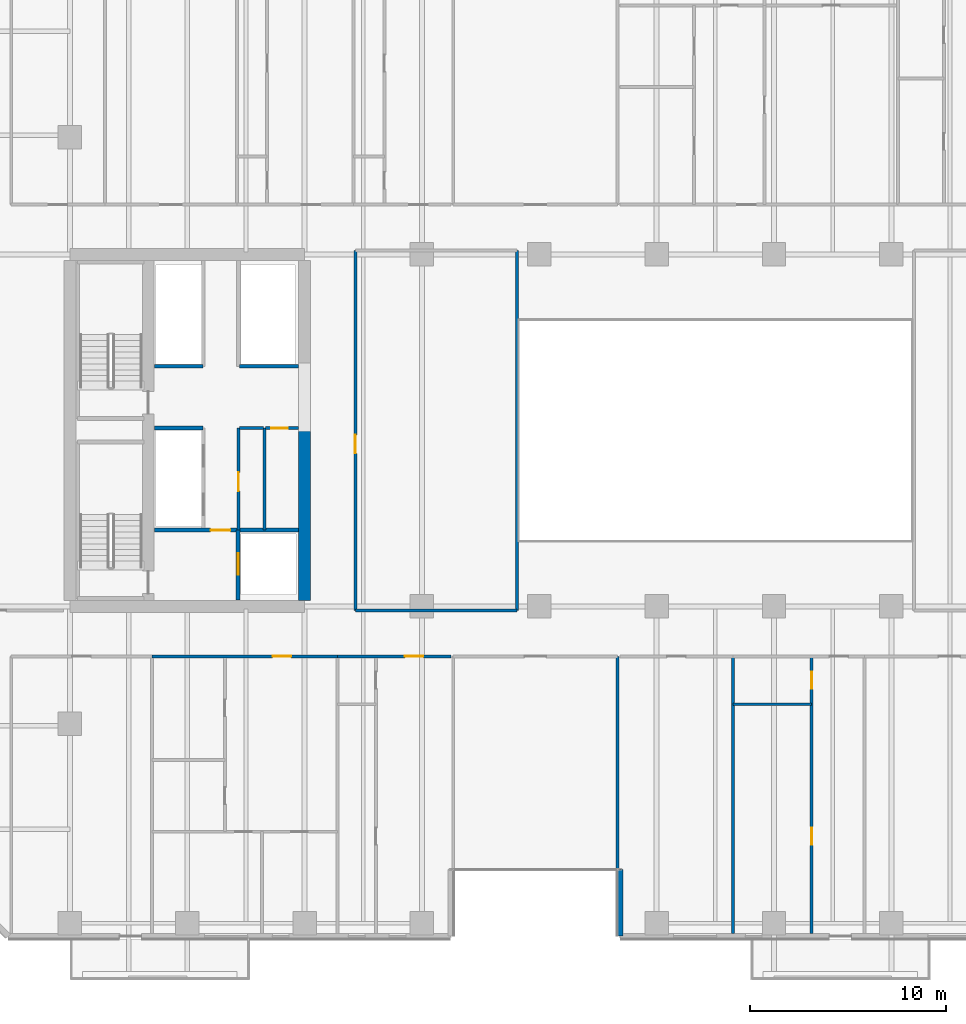
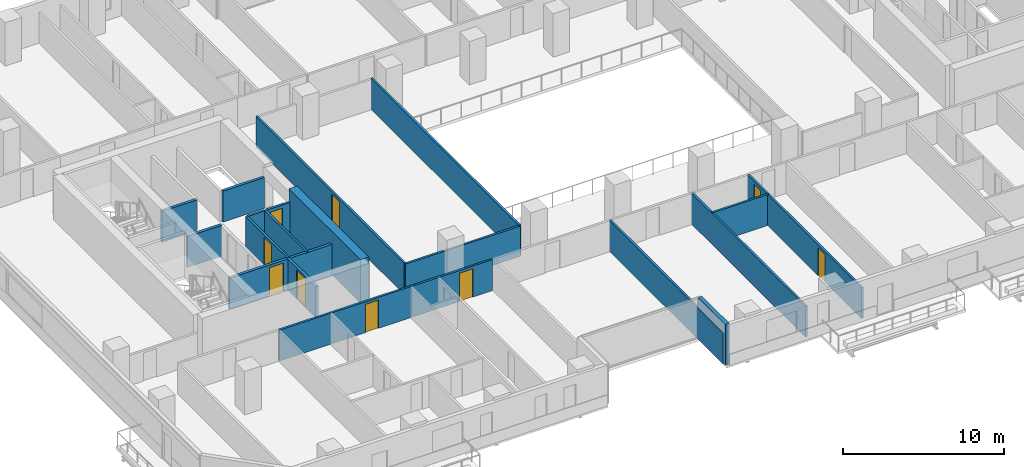
# One storey, part 11 of 26: 20 walls, 9 doors, 9 openings.
"""IFC4 building model written with IfcOpenShell, lengths in metres."""

from ifc_helpers import new_model, si_unit, direction, frame, frame_2d, origin, place, context, subcontext, project, spatial, rectangle, extrude, material, layer, layer_set, type_object, element, fill, save


model = new_model("IFC4")

# Units and contexts
model_context = context("Model", 3, precision=1e-05, world=origin(), true_north=direction((0.0, 1.0)))
body_context = subcontext(model_context, "Body", "Model", "MODEL_VIEW")
ifc_project = project(units=[si_unit("LENGTHUNIT", "METRE"), si_unit("AREAUNIT", "SQUARE_METRE"), si_unit("VOLUMEUNIT", "CUBIC_METRE"), si_unit("PLANEANGLEUNIT", "RADIAN"), si_unit("MASSUNIT", "GRAM", prefix="KILO")], contexts=[model_context])

# Site, building, storey
site_placement = place(None, origin())
site = spatial("IfcSite", under=ifc_project, at=site_placement, CompositionType="ELEMENT")
building_placement = place(site_placement, origin())
building = spatial("IfcBuilding", under=site, at=building_placement, Name="Tanjung Sevakor Pilgrim Tower", CompositionType="ELEMENT")
storey_placement = place(building_placement, frame((0.0, 0.0, 45.5400390625)))
storey = spatial("IfcBuildingStorey", under=building, at=storey_placement, Name="L12", CompositionType="ELEMENT", Elevation=45.5400390625)

# Walls
ifc_material_1 = material(Name="Concrete C60/75", Category="concrete")
ifc_layer_1 = layer(ifc_material_1, 0.60009765625)
ifc_layer_set_1 = layer_set([ifc_layer_1], Name="WALL-CW-600")
wall_type_1 = type_object("IfcWallType", Name="WALL-CW-600", PredefinedType="SHEAR", material=ifc_layer_set_1)
wall_1_placement = place(storey_placement, frame((36.0, 24.89990234375, 0.0), z_axis=(0.0, 0.0, 1.0), x_axis=(0.0, 1.0, 0.0)))
element("IfcWall", 1, at=wall_1_placement, inside=storey, type_object=wall_type_1, Name="L12 W Core Inner Shear Wall South", PredefinedType="SHEAR", context=body_context, shape_type="SweptSolid", body=[
    extrude(rectangle(XDim=8.900146484375, YDim=0.60009765625, at=frame_2d((4.4501953125, 0.0))), origin(), (0.0, 0.0, 1.0), 3.300048828125),
])
ifc_material_2 = material(Name="Concrete C40/50", Category="concrete")
ifc_layer_2 = layer(ifc_material_2, 0.14990234375)
ifc_layer_set_2 = layer_set([ifc_layer_2], Name="WT-COMP-150")
wall_type_2 = type_object("IfcWallType", Name="WT-COMP-150", PredefinedType="SOLIDWALL", material=ifc_layer_set_2)
wall_2_placement = place(storey_placement, frame((33.949951171875, 28.5, 0.0), z_axis=(0.0, 0.0, 1.0), x_axis=(0.0, 1.0, 0.0)))
element("IfcWall", 2, at=wall_2_placement, inside=storey, type_object=wall_type_2, Name="L12 Partition IW-L12-005", PredefinedType="SOLIDWALL", context=body_context, shape_type="SweptSolid", body=[
    extrude(rectangle(XDim=5.219970703125, YDim=0.14990234375, at=frame_2d((2.60986328125, 0.0))), origin(), (0.0, 0.0, 1.0), 2.35009765625),
])
wall_3_placement = place(storey_placement, frame((32.679931640625, 33.719970703125, 0.0), z_axis=(0.0, 0.0, 1.0), x_axis=(1.0, 0.0, 0.0)))
element("IfcWall", 3, at=wall_3_placement, inside=storey, type_object=wall_type_2, Name="L12 Partition IW-L12-006", PredefinedType="SOLIDWALL", context=body_context, shape_type="SweptSolid", body=[
    extrude(rectangle(XDim=1.2099609375, YDim=0.14990234375, at=frame_2d((0.60498046875, 0.0))), origin(), (0.0, 0.0, 1.0), 2.35009765625),
])

# Wall, opening, door
wall_4_placement = place(storey_placement, frame((34.010009765625, 33.719970703125, 0.0), z_axis=(0.0, 0.0, 1.0), x_axis=(1.0, 0.0, 0.0)))
wall_4 = element("IfcWall", 4, at=wall_4_placement, inside=storey, type_object=wall_type_2, Name="L12 Partition IW-L12-007", PredefinedType="SOLIDWALL", context=body_context, shape_type="SweptSolid", body=[
    extrude(rectangle(XDim=1.669921875, YDim=0.14990234375, at=frame_2d((0.8349609375, 0.0))), origin(), (0.0, 0.0, 1.0), 2.35009765625),
])
opening_1_placement = place(wall_4_placement, frame((0.280029296875, 0.0, 0.0)))
opening_1 = element("IfcOpeningElement", 5, at=opening_1_placement, cuts=wall_4, Name="Opening ID-FD3", PredefinedType="OPENING", context=body_context, shape_type="SweptSolid", body=[
    extrude(rectangle(XDim=0.85009765625, YDim=2.10009765625, at=frame_2d((0.425048828125, 1.050048828125))), frame((0.0, 0.0849609375, 0.0), z_axis=(0.0, -1.0, 0.0), x_axis=(1.0, 0.0, 0.0)), (0.0, 0.0, 1.0), 0.169921875),
])
ifc_material_3 = material(Name="Fire-Rated Timber", Category="wood")
door_type_1 = type_object("IfcDoorType", Name="DT-FIRE-850", OperationType="NOTDEFINED", PredefinedType="DOOR", material=ifc_material_3)
door_1_placement = place(opening_1_placement, origin())
door_1 = element("IfcDoor", 6, at=door_1_placement, inside=storey, type_object=door_type_1, Name="L12 Service Store Door", OperationType="SINGLE_SWING_RIGHT", OverallHeight=2.10009765625, OverallWidth=0.85009765625, PredefinedType="DOOR", context=body_context, shape_type="SweptSolid", body=[
    extrude(rectangle(XDim=0.85009765625, YDim=2.10009765625, at=frame_2d((0.425048828125, 1.050048828125))), frame((0.0, 0.02490234375, 0.0), z_axis=(0.0, -1.0, 0.0), x_axis=(1.0, 0.0, 0.0)), (0.0, 0.0, 1.0), 0.050048828125),
])
fill(opening_1, door_1)

wall_5_placement = place(storey_placement, frame((32.6201171875, 28.5, 0.0), z_axis=(0.0, 0.0, 1.0), x_axis=(0.0, 1.0, 0.0)))
wall_5 = element("IfcWall", 7, at=wall_5_placement, inside=storey, type_object=wall_type_2, Name="L12 Partition IW-L12-008", PredefinedType="SOLIDWALL", context=body_context, shape_type="SweptSolid", body=[
    extrude(rectangle(XDim=5.219970703125, YDim=0.14990234375, at=frame_2d((2.60986328125, 0.0))), origin(), (0.0, 0.0, 1.0), 2.35009765625),
])
opening_2_placement = place(wall_5_placement, frame((2.0, 0.0, 0.0)))
opening_2 = element("IfcOpeningElement", 8, at=opening_2_placement, cuts=wall_5, Name="Opening ID-FD2", PredefinedType="OPENING", context=body_context, shape_type="SweptSolid", body=[
    extrude(rectangle(XDim=0.949951171875, YDim=2.14990234375, at=frame_2d((0.47509765625, 1.074951171875))), frame((0.0, 0.0849609375, 0.0), z_axis=(0.0, -1.0, 0.0), x_axis=(1.0, 0.0, 0.0)), (0.0, 0.0, 1.0), 0.169921875),
])
ifc_material_4 = material(Name="Fire-Rated Timber", Category="wood")
door_type_2 = type_object("IfcDoorType", Name="DT-FIRE-950", OperationType="NOTDEFINED", PredefinedType="DOOR", material=ifc_material_4)
door_2_placement = place(opening_2_placement, origin())
door_2 = element("IfcDoor", 9, at=door_2_placement, inside=storey, type_object=door_type_2, Name="L12 Accessible WC Door", OperationType="SINGLE_SWING_LEFT", OverallHeight=2.14990234375, OverallWidth=0.949951171875, PredefinedType="DOOR", context=body_context, shape_type="SweptSolid", body=[
    extrude(rectangle(XDim=0.949951171875, YDim=2.14990234375, at=frame_2d((0.47509765625, 1.074951171875))), frame((0.0, 0.02490234375, 0.0), z_axis=(0.0, -1.0, 0.0), x_axis=(1.0, 0.0, 0.0)), (0.0, 0.0, 1.0), 0.050048828125),
])
fill(opening_2, door_2)

# Wall
wall_6_placement = place(storey_placement, frame((38.60009765625, 24.39990234375, 0.0), z_axis=(0.0, 0.0, 1.0), x_axis=(1.0, 0.0, 0.0)))
element("IfcWall", 10, at=wall_6_placement, inside=storey, type_object=wall_type_2, Name="L12 Partition IW-L12-025", PredefinedType="SOLIDWALL", context=body_context, shape_type="SweptSolid", body=[
    extrude(rectangle(XDim=8.25, YDim=0.14990234375, at=frame_2d((4.125, 0.0))), origin(), (0.0, 0.0, 1.0), 2.295166015625),
])

# Wall, opening, door
wall_7_placement = place(storey_placement, frame((38.60009765625, 24.39990234375, 0.0), z_axis=(0.0, 0.0, 1.0), x_axis=(0.0, 1.0, 0.0)))
wall_7 = element("IfcWall", 11, at=wall_7_placement, inside=storey, type_object=wall_type_2, Name="L12 Partition IW-L12-027", PredefinedType="SOLIDWALL", context=body_context, shape_type="SweptSolid", body=[
    extrude(rectangle(XDim=18.400146484375, YDim=0.14990234375, at=frame_2d((9.2001953125, 0.0))), origin(), (0.0, 0.0, 1.0), 2.35009765625),
])
opening_3_placement = place(wall_7_placement, frame((8.02490234375, 0.0, 0.0)))
opening_3 = element("IfcOpeningElement", 12, at=opening_3_placement, cuts=wall_7, Name="Opening ID-RM1", PredefinedType="OPENING", context=body_context, shape_type="SweptSolid", body=[
    extrude(rectangle(XDim=0.949951171875, YDim=2.14990234375, at=frame_2d((0.47509765625, 1.074951171875))), frame((0.0, 0.0849609375, 0.0), z_axis=(0.0, -1.0, 0.0), x_axis=(1.0, 0.0, 0.0)), (0.0, 0.0, 1.0), 0.169921875),
])
ifc_material_5 = material(Name="Hardwood Timber", Category="wood")
door_type_3 = type_object("IfcDoorType", Name="DT-INT-950", OperationType="NOTDEFINED", PredefinedType="DOOR", material=ifc_material_5)
door_3_placement = place(opening_3_placement, origin())
door_3 = element("IfcDoor", 13, at=door_3_placement, inside=storey, type_object=door_type_3, Name="L12 Central West Room Door", OperationType="SINGLE_SWING_RIGHT", OverallHeight=2.14990234375, OverallWidth=0.949951171875, PredefinedType="DOOR", context=body_context, shape_type="SweptSolid", body=[
    extrude(rectangle(XDim=0.949951171875, YDim=2.14990234375, at=frame_2d((0.47509765625, 1.074951171875))), frame((0.0, 0.02490234375, 0.0), z_axis=(0.0, -1.0, 0.0), x_axis=(1.0, 0.0, 0.0)), (0.0, 0.0, 1.0), 0.050048828125),
])
fill(opening_3, door_3)

# Walls
wall_8_placement = place(storey_placement, frame((46.85009765625, 24.39990234375, 0.0), z_axis=(0.0, 0.0, 1.0), x_axis=(0.0, 1.0, 0.0)))
element("IfcWall", 14, at=wall_8_placement, inside=storey, type_object=wall_type_2, Name="L12 Partition IW-L12-028", PredefinedType="SOLIDWALL", context=body_context, shape_type="SweptSolid", body=[
    extrude(rectangle(XDim=18.400146484375, YDim=0.14990234375, at=frame_2d((9.2001953125, 0.0))), origin(), (0.0, 0.0, 1.0), 2.35009765625),
])
wall_9_placement = place(storey_placement, frame((52.0, 7.8798828125, 0.0), z_axis=(0.0, 0.0, 1.0), x_axis=(0.0, 1.0, 0.0)))
element("IfcWall", 15, at=wall_9_placement, inside=storey, type_object=wall_type_2, Name="L12 Partition IW-L12-042", PredefinedType="SOLIDWALL", context=body_context, shape_type="SweptSolid", body=[
    extrude(rectangle(XDim=14.170166015625, YDim=0.14990234375, at=frame_2d((7.0849609375, 0.0))), origin(), (0.0, 0.0, 1.0), 2.35009765625),
])

# Wall, opening, door
wall_10_placement = place(storey_placement, frame((28.20654296875, 22.050048828125, 0.0), z_axis=(0.0, 0.0, 1.0), x_axis=(1.0, 0.0, 0.0)))
wall_10 = element("IfcWall", 16, at=wall_10_placement, inside=storey, type_object=wall_type_2, Name="L12 Partition IW-L12-054", PredefinedType="SOLIDWALL", context=body_context, shape_type="SweptSolid", body=[
    extrude(rectangle(XDim=9.46533203125, YDim=0.14990234375, at=frame_2d((4.732666015625, 0.0))), origin(), (0.0, 0.0, 1.0), 2.35009765625),
])
opening_4_placement = place(wall_10_placement, frame((6.154296875, 0.0, 0.0)))
opening_4 = element("IfcOpeningElement", 17, at=opening_4_placement, cuts=wall_10, Name="Opening ID-FD2", PredefinedType="OPENING", context=body_context, shape_type="SweptSolid", body=[
    extrude(rectangle(XDim=0.949951171875, YDim=2.14990234375, at=frame_2d((0.47509765625, 1.074951171875))), frame((0.0, 0.0849609375, 0.0), z_axis=(0.0, -1.0, 0.0), x_axis=(1.0, 0.0, 0.0)), (0.0, 0.0, 1.0), 0.169921875),
])
door_4_placement = place(opening_4_placement, origin())
door_4 = element("IfcDoor", 18, at=door_4_placement, inside=storey, type_object=door_type_2, Name="Suite Entrance", OperationType="SINGLE_SWING_RIGHT", OverallHeight=2.14990234375, OverallWidth=0.949951171875, PredefinedType="DOOR", context=body_context, shape_type="SweptSolid", body=[
    extrude(rectangle(XDim=0.949951171875, YDim=2.14990234375, at=frame_2d((0.47509765625, 1.074951171875))), frame((0.0, 0.02490234375, 0.0), z_axis=(0.0, -1.0, 0.0), x_axis=(1.0, 0.0, 0.0)), (0.0, 0.0, 1.0), 0.050048828125),
])
fill(opening_4, door_4)

wall_11_placement = place(storey_placement, frame((37.671875, 22.050048828125, 0.0), z_axis=(0.0, 0.0, 1.0), x_axis=(1.0, 0.0, 0.0)))
wall_11 = element("IfcWall", 19, at=wall_11_placement, inside=storey, type_object=wall_type_2, Name="L12 Partition IW-L12-057", PredefinedType="SOLIDWALL", context=body_context, shape_type="SweptSolid", body=[
    extrude(rectangle(XDim=5.80810546875, YDim=0.14990234375, at=frame_2d((2.904052734375, 0.0))), origin(), (0.0, 0.0, 1.0), 2.35009765625),
])
opening_5_placement = place(wall_11_placement, frame((3.45654296875, 0.0, 0.0)))
opening_5 = element("IfcOpeningElement", 20, at=opening_5_placement, cuts=wall_11, Name="Opening ID-FD2", PredefinedType="OPENING", context=body_context, shape_type="SweptSolid", body=[
    extrude(rectangle(XDim=0.949951171875, YDim=2.14990234375, at=frame_2d((0.47509765625, 1.074951171875))), frame((0.0, 0.0849609375, 0.0), z_axis=(0.0, -1.0, 0.0), x_axis=(1.0, 0.0, 0.0)), (0.0, 0.0, 1.0), 0.169921875),
])
door_5_placement = place(opening_5_placement, origin())
door_5 = element("IfcDoor", 21, at=door_5_placement, inside=storey, type_object=door_type_2, Name="Hotel Guestroom Entrance", OperationType="SINGLE_SWING_LEFT", OverallHeight=2.14990234375, OverallWidth=0.949951171875, PredefinedType="DOOR", context=body_context, shape_type="SweptSolid", body=[
    extrude(rectangle(XDim=0.949951171875, YDim=2.14990234375, at=frame_2d((0.47509765625, 1.074951171875))), frame((0.0, 0.02490234375, 0.0), z_axis=(0.0, -1.0, 0.0), x_axis=(1.0, 0.0, 0.0)), (0.0, 0.0, 1.0), 0.050048828125),
])
fill(opening_5, door_5)

# Walls
wall_12_placement = place(storey_placement, frame((57.895751953125, 7.8798828125, 0.0), z_axis=(0.0, 0.0, 1.0), x_axis=(0.0, 1.0, 0.0)))
element("IfcWall", 22, at=wall_12_placement, inside=storey, type_object=wall_type_2, Name="L12 Partition IW-L12-059", PredefinedType="SOLIDWALL", context=body_context, shape_type="SweptSolid", body=[
    extrude(rectangle(XDim=14.170166015625, YDim=0.14990234375, at=frame_2d((7.0849609375, 0.0))), origin(), (0.0, 0.0, 1.0), 2.35009765625),
])
ifc_material_6 = material(Name="Precast concrete C45/55", Category="concrete")
ifc_layer_3 = layer(ifc_material_6, 0.280029296875)
ifc_layer_set_3 = layer_set([ifc_layer_3], Name="WT-EW-STN2")
wall_type_3 = type_object("IfcWallType", Name="WT-EW-STN2", PredefinedType="SOLIDWALL", material=ifc_layer_set_3)
wall_13_placement = place(storey_placement, frame((52.139892578125, 11.139892578125, 0.0), z_axis=(0.0, 0.0, 1.0), x_axis=(0.0, -1.0, 0.0)))
element("IfcWall", 23, at=wall_13_placement, inside=storey, type_object=wall_type_3, Name="L12 MAIN Exterior Wall 4", PredefinedType="SOLIDWALL", context=body_context, shape_type="SweptSolid", body=[
    extrude(rectangle(XDim=3.39990234375, YDim=0.280029296875, at=frame_2d((1.699951171875, 0.0))), origin(), (0.0, 0.0, 1.0), 3.080078125),
])

# Wall, opening, door
ifc_material_7 = material(Name="Concrete C40/50", Category="concrete")
ifc_layer_4 = layer(ifc_material_7, 0.199951171875)
ifc_layer_set_4 = layer_set([ifc_layer_4], Name="WT-FPRT-200")
wall_type_4 = type_object("IfcWallType", Name="WT-FPRT-200", PredefinedType="SOLIDWALL", material=ifc_layer_set_4)
wall_14_placement = place(storey_placement, frame((32.60009765625, 24.919921875, 0.0), z_axis=(0.0, 0.0, 1.0), x_axis=(0.0, 1.0, 0.0)))
wall_14 = element("IfcWall", 24, at=wall_14_placement, inside=storey, type_object=wall_type_4, Name="L12 Partition IW-L12-001", PredefinedType="SOLIDWALL", context=body_context, shape_type="SweptSolid", body=[
    extrude(rectangle(XDim=3.580078125, YDim=0.199951171875, at=frame_2d((1.7900390625, 0.0))), origin(), (0.0, 0.0, 1.0), 2.35009765625),
])
opening_6_placement = place(wall_14_placement, frame((1.300048828125, 0.0, 0.0)))
opening_6 = element("IfcOpeningElement", 25, at=opening_6_placement, cuts=wall_14, Name="Opening LD-1100", PredefinedType="OPENING", context=body_context, shape_type="SweptSolid", body=[
    extrude(rectangle(XDim=1.10009765625, YDim=2.199951171875, at=frame_2d((0.550048828125, 1.10009765625))), frame((0.0, 0.10986328125, 0.0), z_axis=(0.0, -1.0, 0.0), x_axis=(1.0, 0.0, 0.0)), (0.0, 0.0, 1.0), 0.219970703125),
])
ifc_material_8 = material(Name="Brushed Stainless Steel S355J2", Category="steel")
door_type_4 = type_object("IfcDoorType", Name="DT-LIFT-1100", OperationType="SLIDING_TO_LEFT", PredefinedType="DOOR", material=ifc_material_8)
door_6_placement = place(opening_6_placement, origin())
door_6 = element("IfcDoor", 26, at=door_6_placement, inside=storey, type_object=door_type_4, Name="LD-FL-W", OperationType="SLIDING_TO_LEFT", OverallHeight=2.199951171875, OverallWidth=1.10009765625, PredefinedType="DOOR", context=body_context, shape_type="SweptSolid", body=[
    extrude(rectangle(XDim=1.10009765625, YDim=2.199951171875, at=frame_2d((0.550048828125, 1.10009765625))), frame((0.0, 0.02490234375, 0.0), z_axis=(0.0, -1.0, 0.0), x_axis=(1.0, 0.0, 0.0)), (0.0, 0.0, 1.0), 0.050048828125),
])
fill(opening_6, door_6)

wall_15_placement = place(storey_placement, frame((28.320068359375, 28.5, 0.0), z_axis=(0.0, 0.0, 1.0), x_axis=(1.0, 0.0, 0.0)))
wall_15 = element("IfcWall", 27, at=wall_15_placement, inside=storey, type_object=wall_type_4, Name="L12 Partition IW-L12-002", PredefinedType="SOLIDWALL", context=body_context, shape_type="SweptSolid", body=[
    extrude(rectangle(XDim=7.35986328125, YDim=0.199951171875, at=frame_2d((3.679931640625, 0.0))), origin(), (0.0, 0.0, 1.0), 2.35009765625),
])
opening_7_placement = place(wall_15_placement, frame((2.8798828125, 0.0, 0.0)))
opening_7 = element("IfcOpeningElement", 28, at=opening_7_placement, cuts=wall_15, Name="Opening ID-FD1", PredefinedType="OPENING", context=body_context, shape_type="SweptSolid", body=[
    extrude(rectangle(XDim=1.0, YDim=2.14990234375, at=frame_2d((0.5, 1.074951171875))), frame((0.0, 0.10986328125, 0.0), z_axis=(0.0, -1.0, 0.0), x_axis=(1.0, 0.0, 0.0)), (0.0, 0.0, 1.0), 0.219970703125),
])
ifc_material_9 = material(Name="Fire-Rated Steel S355J2", Category="steel")
door_type_5 = type_object("IfcDoorType", Name="DT-FIRE-1000", OperationType="NOTDEFINED", PredefinedType="DOOR", material=ifc_material_9)
door_7_placement = place(opening_7_placement, origin())
door_7 = element("IfcDoor", 29, at=door_7_placement, inside=storey, type_object=door_type_5, Name="Fire Lobby Door W", OperationType="SINGLE_SWING_LEFT", OverallHeight=2.14990234375, OverallWidth=1.0, PredefinedType="DOOR", context=body_context, shape_type="SweptSolid", body=[
    extrude(rectangle(XDim=1.0, YDim=2.14990234375, at=frame_2d((0.5, 1.074951171875))), frame((0.0, 0.02490234375, 0.0), z_axis=(0.0, -1.0, 0.0), x_axis=(1.0, 0.0, 0.0)), (0.0, 0.0, 1.0), 0.050048828125),
])
fill(opening_7, door_7)

# Walls
for number, where, z_axis, x_axis, name in (
    (30, (28.320068359375, 33.719970703125, 0.0), (0.0, 0.0, 1.0), (1.0, 0.0, 0.0), "L12 Partition IW-L12-003"),
    (31, (28.320068359375, 36.8798828125, 0.0), (0.0, 0.0, 1.0), (1.0, 0.0, 0.0), "L12 Partition IW-L12-009"),
):
    element("IfcWall", number, at=place(storey_placement, frame(where, z_axis=z_axis, x_axis=x_axis)), inside=storey, type_object=wall_type_4, Name=name, PredefinedType="SOLIDWALL", context=body_context, shape_type="SweptSolid", body=[
        extrude(rectangle(XDim=2.47998046875, YDim=0.199951171875, at=frame_2d((1.239990234375, 0.0))), origin(), (0.0, 0.0, 1.0), 2.35009765625),
    ])
wall_16_placement = place(storey_placement, frame((32.679931640625, 36.8798828125, 0.0), z_axis=(0.0, 0.0, 1.0), x_axis=(1.0, 0.0, 0.0)))
element("IfcWall", 32, at=wall_16_placement, inside=storey, type_object=wall_type_4, Name="L12 Partition IW-L12-011", PredefinedType="SOLIDWALL", context=body_context, shape_type="SweptSolid", body=[
    extrude(rectangle(XDim=3.0, YDim=0.199951171875, at=frame_2d((1.5, 0.0))), origin(), (0.0, 0.0, 1.0), 2.35009765625),
])
ifc_material_10 = material(Name="Gypsum Board Partition", Category="gypsum board")
ifc_layer_5 = layer(ifc_material_10, 0.14990234375)
ifc_layer_set_5 = layer_set([ifc_layer_5], Name="WT-PART-150")
wall_type_5 = type_object("IfcWallType", Name="WT-PART-150", PredefinedType="PARTITIONING", material=ifc_layer_set_5)
wall_17_placement = place(storey_placement, frame((57.895751953125, 19.60009765625, 0.0), z_axis=(0.0, 0.0, 1.0), x_axis=(1.0, 0.0, 0.0)))
element("IfcWall", 33, at=wall_17_placement, inside=storey, type_object=wall_type_5, Name="L12 Partition IW-L12-062", PredefinedType="PARTITIONING", context=body_context, shape_type="SweptSolid", body=[
    extrude(rectangle(XDim=4.024169921875, YDim=0.14990234375, at=frame_2d((2.01220703125, 0.0))), origin(), (0.0, 0.0, 1.0), 2.35009765625),
])

# Wall, openings, doors
wall_18_placement = place(storey_placement, frame((61.919921875, 7.8798828125, 0.0), z_axis=(0.0, 0.0, 1.0), x_axis=(0.0, 1.0, 0.0)))
wall_18 = element("IfcWall", 34, at=wall_18_placement, inside=storey, type_object=wall_type_5, Name="L12 Partition IW-L12-063", PredefinedType="PARTITIONING", context=body_context, shape_type="SweptSolid", body=[
    extrude(rectangle(XDim=14.170166015625, YDim=0.14990234375, at=frame_2d((7.0849609375, 0.0))), origin(), (0.0, 0.0, 1.0), 2.35009765625),
])
opening_8_placement = place(wall_18_placement, frame((4.548095703125, 0.0, 0.0)))
opening_8 = element("IfcOpeningElement", 35, at=opening_8_placement, cuts=wall_18, Name="Opening ID-WC1", PredefinedType="OPENING", context=body_context, shape_type="SweptSolid", body=[
    extrude(rectangle(XDim=0.85009765625, YDim=2.10009765625, at=frame_2d((0.425048828125, 1.050048828125))), frame((0.0, 0.0849609375, 0.0), z_axis=(0.0, -1.0, 0.0), x_axis=(1.0, 0.0, 0.0)), (0.0, 0.0, 1.0), 0.169921875),
])
opening_9_placement = place(wall_18_placement, frame((12.52001953125, 0.0, 0.0)))
opening_9 = element("IfcOpeningElement", 36, at=opening_9_placement, cuts=wall_18, Name="Opening ID-WC1", PredefinedType="OPENING", context=body_context, shape_type="SweptSolid", body=[
    extrude(rectangle(XDim=0.85009765625, YDim=2.10009765625, at=frame_2d((0.425048828125, 1.050048828125))), frame((0.0, 0.0849609375, 0.0), z_axis=(0.0, -1.0, 0.0), x_axis=(1.0, 0.0, 0.0)), (0.0, 0.0, 1.0), 0.169921875),
])
ifc_material_11 = material(Name="Moisture-Resistant Timber", Category="wood")
door_type_6 = type_object("IfcDoorType", Name="DT-INT-850", OperationType="NOTDEFINED", PredefinedType="DOOR", material=ifc_material_11)
door_8_placement = place(opening_8_placement, origin())
door_8 = element("IfcDoor", 37, at=door_8_placement, inside=storey, type_object=door_type_6, Name="Study Nook Door", OperationType="SINGLE_SWING_LEFT", OverallHeight=2.10009765625, OverallWidth=0.85009765625, PredefinedType="DOOR", context=body_context, shape_type="SweptSolid", body=[
    extrude(rectangle(XDim=0.85009765625, YDim=2.10009765625, at=frame_2d((0.425048828125, 1.050048828125))), frame((0.0, 0.02490234375, 0.0), z_axis=(0.0, -1.0, 0.0), x_axis=(1.0, 0.0, 0.0)), (0.0, 0.0, 1.0), 0.050048828125),
])
fill(opening_8, door_8)
door_9_placement = place(opening_9_placement, origin())
door_9 = element("IfcDoor", 38, at=door_9_placement, inside=storey, type_object=door_type_6, Name="Bathroom Door", OperationType="SINGLE_SWING_RIGHT", OverallHeight=2.10009765625, OverallWidth=0.85009765625, PredefinedType="DOOR", context=body_context, shape_type="SweptSolid", body=[
    extrude(rectangle(XDim=0.85009765625, YDim=2.10009765625, at=frame_2d((0.425048828125, 1.050048828125))), frame((0.0, 0.02490234375, 0.0), z_axis=(0.0, -1.0, 0.0), x_axis=(1.0, 0.0, 0.0)), (0.0, 0.0, 1.0), 0.050048828125),
])
fill(opening_9, door_9)

save(model, "model.ifc")
